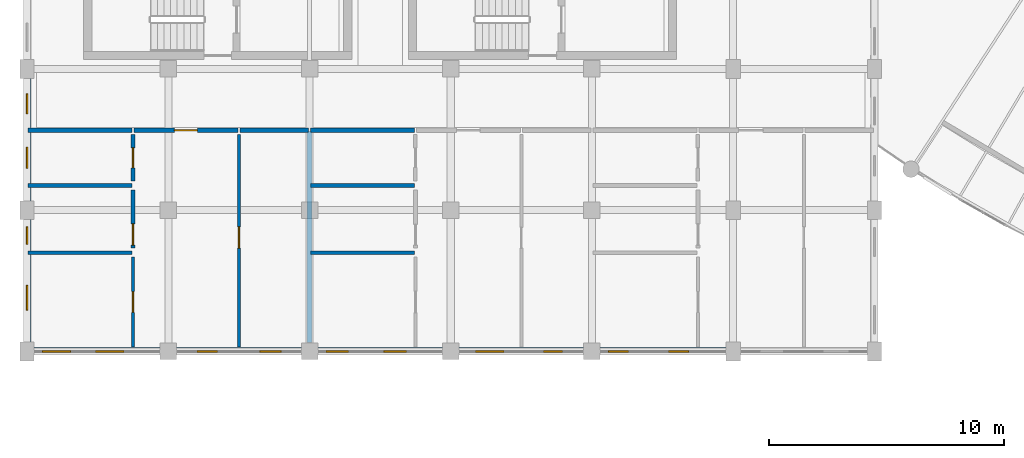
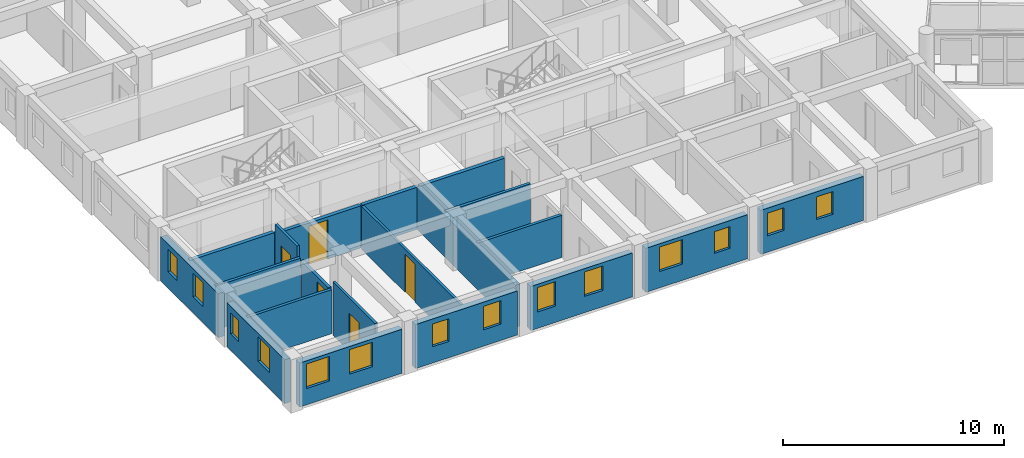
# One storey, part 86 of 137: 20 walls, 14 windows, 5 doors, 19 openings.
"""IFC4 building model written with IfcOpenShell, lengths in metres."""

from ifc_helpers import new_model, si_unit, direction, frame, frame_2d, origin, place, context, subcontext, project, spatial, rectangle, extrude, material, layer, layer_set, type_object, element, fill, save


model = new_model("IFC4")

# Units and contexts
model_context = context("Model", 3, precision=1e-05, world=origin(), true_north=direction((0.0, 1.0)))
body_context = subcontext(model_context, "Body", "Model", "MODEL_VIEW")
ifc_project = project(units=[si_unit("LENGTHUNIT", "METRE"), si_unit("AREAUNIT", "SQUARE_METRE"), si_unit("VOLUMEUNIT", "CUBIC_METRE"), si_unit("PLANEANGLEUNIT", "RADIAN"), si_unit("MASSUNIT", "GRAM", prefix="KILO"), si_unit("POWERUNIT", "WATT"), si_unit("THERMODYNAMICTEMPERATUREUNIT", "KELVIN")], contexts=[model_context])

# Site, building, storey
site_placement = place(None, origin())
site = spatial("IfcSite", under=ifc_project, at=site_placement, CompositionType="ELEMENT")
building_placement = place(site_placement, origin())
building = spatial("IfcBuilding", under=site, at=building_placement, Name="Ruvembo Vaulted Housing Court", CompositionType="ELEMENT")
storey_placement = place(building_placement, frame((0.0, 0.0, 4.5)))
storey = spatial("IfcBuildingStorey", under=building, at=storey_placement, Name="L01", CompositionType="ELEMENT", Elevation=4.5)

# Wall
ifc_material_1 = material(Name="Concrete Blockwork 190", Category="masonry")
ifc_layer_1 = layer(ifc_material_1, 0.18994140625, Name="Concrete Blockwork 190")
ifc_layer_set_1 = layer_set([ifc_layer_1], Name="Concrete Blockwork 190")
wall_type_1 = type_object("IfcWallType", Name="WL-CORR-190", PredefinedType="SOLIDWALL", material=ifc_layer_set_1)
wall_1_placement = place(storey_placement, frame((0.0400390625, 15.39990234375, 0.0), z_axis=(0.0, 0.0, 1.0), x_axis=(1.0, 0.0, 0.0)))
element("IfcWall", 1, at=wall_1_placement, inside=storey, type_object=wall_type_1, Name="L01 Flat A-L01-S1 Corridor Wall WL-INT-L01-00179", PredefinedType="SOLIDWALL", context=body_context, shape_type="SweptSolid", body=[
    extrude(rectangle(XDim=4.419921875, YDim=0.18994140625, at=frame_2d((2.2099609375, 0.0))), origin(), (0.0, 0.0, 1.0), 2.427001953125),
])

# Wall, opening, door
wall_2_placement = place(storey_placement, frame((4.5400390625, 15.39990234375, 0.0), z_axis=(0.0, 0.0, 1.0), x_axis=(1.0, 0.0, 0.0)))
wall_2 = element("IfcWall", 2, at=wall_2_placement, inside=storey, type_object=wall_type_1, Name="L01 Flat A-L01-S1 Entrance WL-INT-L01-00180", PredefinedType="SOLIDWALL", context=body_context, shape_type="SweptSolid", body=[
    extrude(rectangle(XDim=4.419921875, YDim=0.18994140625, at=frame_2d((2.2099609375, 0.0))), origin(), (0.0, 0.0, 1.0), 2.326904296875),
])
opening_1_placement = place(wall_2_placement, frame((1.719970703125, 0.0, 0.0)))
opening_1 = element("IfcOpeningElement", 3, at=opening_1_placement, cuts=wall_2, Name="Opening FD2", PredefinedType="OPENING", context=body_context, shape_type="SweptSolid", body=[
    extrude(rectangle(XDim=0.97998046875, YDim=2.14990234375, at=frame_2d((0.489990234375, 1.074951171875))), frame((0.0, 0.10498046875, 0.0), z_axis=(0.0, -1.0, 0.0), x_axis=(1.0, 0.0, 0.0)), (0.0, 0.0, 1.0), 0.2099609375),
])
ifc_material_2 = material(Name="FSC Hardwood and Engineered Timber", Category="wood")
door_type_1 = type_object("IfcDoorType", Name="DR-FLAT-0980x2150", OperationType="NOTDEFINED", PredefinedType="DOOR", material=ifc_material_2)
door_1_placement = place(opening_1_placement, origin())
door_1 = element("IfcDoor", 4, at=door_1_placement, inside=storey, type_object=door_type_1, Name="L01 Flat A-L01-S1 Entrance Door DR-INT-L01-00088", OperationType="SINGLE_SWING_RIGHT", OverallHeight=2.14990234375, OverallWidth=0.97998046875, PredefinedType="DOOR", context=body_context, shape_type="SweptSolid", body=[
    extrude(rectangle(XDim=0.97998046875, YDim=2.14990234375, at=frame_2d((0.489990234375, 1.074951171875))), frame((0.0, 0.02490234375, 0.0), z_axis=(0.0, -1.0, 0.0), x_axis=(1.0, 0.0, 0.0)), (0.0, 0.0, 1.0), 0.050048828125),
])
fill(opening_1, door_1)

# Walls
wall_3_placement = place(storey_placement, frame((9.0400390625, 15.39990234375, 0.0), z_axis=(0.0, 0.0, 1.0), x_axis=(1.0, 0.0, 0.0)))
element("IfcWall", 5, at=wall_3_placement, inside=storey, type_object=wall_type_1, Name="L01 Flat A-L01-S1 Corridor Wall 2 WL-INT-L01-00186", PredefinedType="SOLIDWALL", context=body_context, shape_type="SweptSolid", body=[
    extrude(rectangle(XDim=2.919921875, YDim=0.18994140625, at=frame_2d((1.4599609375, 0.0))), origin(), (0.0, 0.0, 1.0), 2.326904296875),
])
wall_4_placement = place(storey_placement, frame((12.0400390625, 15.39990234375, 0.0), z_axis=(0.0, 0.0, 1.0), x_axis=(1.0, 0.0, 0.0)))
element("IfcWall", 6, at=wall_4_placement, inside=storey, type_object=wall_type_1, Name="L01 Flat A-L01-S2 Corridor Wall WL-INT-L01-00189", PredefinedType="SOLIDWALL", context=body_context, shape_type="SweptSolid", body=[
    extrude(rectangle(XDim=4.419921875, YDim=0.18994140625, at=frame_2d((2.2099609375, 0.0))), origin(), (0.0, 0.0, 1.0), 2.326904296875),
])
ifc_material_3 = material(Name="Acoustic Masonry Demising 230", Category="masonry")
ifc_layer_2 = layer(ifc_material_3, 0.22998046875, Name="Acoustic Masonry Demising 230")
ifc_layer_set_2 = layer_set([ifc_layer_2], Name="Acoustic Masonry Demising 230")
wall_type_2 = type_object("IfcWallType", Name="WL-DEM-230", PredefinedType="SOLIDWALL", material=ifc_layer_set_2)
wall_5_placement = place(storey_placement, frame((12.0, 6.389892578125, 0.0), z_axis=(0.0, 0.0, 1.0), x_axis=(0.0, 1.0, 0.0)))
element("IfcWall", 7, at=wall_5_placement, inside=storey, type_object=wall_type_2, Name="L01 Demising A-L01-S1 WL-INT-L01-00178", PredefinedType="SOLIDWALL", context=body_context, shape_type="SweptSolid", body=[
    extrude(rectangle(XDim=8.97021484375, YDim=0.22998046875, at=frame_2d((4.485107421875, 0.0))), origin(), (0.0, 0.0, 1.0), 2.326904296875),
])

# Wall, openings, windows
ifc_material_4 = material(Name="Rendered Masonry 320", Category="masonry")
ifc_layer_3 = layer(ifc_material_4, 0.320068359375, Name="Rendered Masonry 320")
ifc_layer_set_3 = layer_set([ifc_layer_3], Name="Rendered Masonry 320")
wall_type_3 = type_object("IfcWallType", Name="WL-EXT-320", PredefinedType="STANDARD", material=ifc_layer_set_3)
wall_6_placement = place(storey_placement, frame((0.300048828125, 6.0, 0.0), z_axis=(0.0, 0.0, 1.0), x_axis=(1.0, 0.0, 0.0)))
wall_6 = element("IfcWall", 8, at=wall_6_placement, inside=storey, type_object=wall_type_3, Name="Block A L01 Exterior Wall STREET #1", PredefinedType="STANDARD", context=body_context, shape_type="SweptSolid", body=[
    extrude(rectangle(XDim=5.349853515625, YDim=0.320068359375, at=frame_2d((2.6748046875, 0.0))), origin(), (0.0, 0.0, 1.0), 2.427001953125),
])
opening_2_placement = place(wall_6_placement, frame((0.35009765625, 0.0, 0.89990234375)))
opening_2 = element("IfcOpeningElement", 9, at=opening_2_placement, cuts=wall_6, Name="Opening W12", PredefinedType="OPENING", context=body_context, shape_type="SweptSolid", body=[
    extrude(rectangle(XDim=1.199951171875, YDim=1.35009765625, at=frame_2d((0.60009765625, 0.675048828125))), frame((0.0, 0.169921875, 0.0), z_axis=(0.0, -1.0, 0.0), x_axis=(1.0, 0.0, 0.0)), (0.0, 0.0, 1.0), 0.340087890625),
])
opening_3_placement = place(wall_6_placement, frame((2.610107421875, 0.0, 0.89990234375)))
opening_3 = element("IfcOpeningElement", 10, at=opening_3_placement, cuts=wall_6, Name="Opening W12", PredefinedType="OPENING", context=body_context, shape_type="SweptSolid", body=[
    extrude(rectangle(XDim=1.199951171875, YDim=1.35009765625, at=frame_2d((0.60009765625, 0.675048828125))), frame((0.0, 0.169921875, 0.0), z_axis=(0.0, -1.0, 0.0), x_axis=(1.0, 0.0, 0.0)), (0.0, 0.0, 1.0), 0.340087890625),
])
ifc_material_5 = material(Name="Double Solar-Control Glazing in Aluminium Frame", Category="aluminium")
window_type_1 = type_object("IfcWindowType", Name="WIN-1200x1350", PartitioningType="SINGLE_PANEL", PredefinedType="WINDOW", material=ifc_material_5)
window_1_placement = place(opening_2_placement, origin())
window_1 = element("IfcWindow", 11, at=window_1_placement, inside=storey, type_object=window_type_1, Name="Block A L01 Window #41", OverallHeight=1.35009765625, OverallWidth=1.199951171875, PartitioningType="SINGLE_PANEL", PredefinedType="WINDOW", context=body_context, shape_type="SweptSolid", body=[
    extrude(rectangle(XDim=1.199951171875, YDim=1.35009765625, at=frame_2d((0.60009765625, 0.675048828125))), frame((0.0, 0.030029296875, 0.0), z_axis=(0.0, -1.0, 0.0), x_axis=(1.0, 0.0, 0.0)), (0.0, 0.0, 1.0), 0.06005859375),
])
fill(opening_2, window_1)
window_2_placement = place(opening_3_placement, origin())
window_2 = element("IfcWindow", 12, at=window_2_placement, inside=storey, type_object=window_type_1, Name="Block A L01 Window #42", OverallHeight=1.35009765625, OverallWidth=1.199951171875, PartitioningType="SINGLE_PANEL", PredefinedType="WINDOW", context=body_context, shape_type="SweptSolid", body=[
    extrude(rectangle(XDim=1.199951171875, YDim=1.35009765625, at=frame_2d((0.60009765625, 0.675048828125))), frame((0.0, 0.030029296875, 0.0), z_axis=(0.0, -1.0, 0.0), x_axis=(1.0, 0.0, 0.0)), (0.0, 0.0, 1.0), 0.06005859375),
])
fill(opening_3, window_2)

wall_7_placement = place(storey_placement, frame((6.35009765625, 6.0, 0.0), z_axis=(0.0, 0.0, 1.0), x_axis=(1.0, 0.0, 0.0)))
wall_7 = element("IfcWall", 13, at=wall_7_placement, inside=storey, type_object=wall_type_3, Name="Block A L01 Exterior Wall STREET #2", PredefinedType="STANDARD", context=body_context, shape_type="SweptSolid", body=[
    extrude(rectangle(XDim=5.2998046875, YDim=0.320068359375, at=frame_2d((2.64990234375, 0.0))), origin(), (0.0, 0.0, 1.0), 2.427001953125),
])
opening_4_placement = place(wall_7_placement, frame((0.8798828125, 0.0, 0.89990234375)))
opening_4 = element("IfcOpeningElement", 14, at=opening_4_placement, cuts=wall_7, Name="Opening W03", PredefinedType="OPENING", context=body_context, shape_type="SweptSolid", body=[
    extrude(rectangle(XDim=0.85009765625, YDim=1.25, at=frame_2d((0.425048828125, 0.625))), frame((0.0, 0.169921875, 0.0), z_axis=(0.0, -1.0, 0.0), x_axis=(1.0, 0.0, 0.0)), (0.0, 0.0, 1.0), 0.340087890625),
])
opening_5_placement = place(wall_7_placement, frame((3.544921875, 0.0, 0.89990234375)))
opening_5 = element("IfcOpeningElement", 15, at=opening_5_placement, cuts=wall_7, Name="Opening W04", PredefinedType="OPENING", context=body_context, shape_type="SweptSolid", body=[
    extrude(rectangle(XDim=0.89990234375, YDim=1.300048828125, at=frame_2d((0.449951171875, 0.64990234375))), frame((0.0, 0.169921875, 0.0), z_axis=(0.0, -1.0, 0.0), x_axis=(1.0, 0.0, 0.0)), (0.0, 0.0, 1.0), 0.340087890625),
])
window_type_2 = type_object("IfcWindowType", Name="WIN-0850x1250", PartitioningType="SINGLE_PANEL", PredefinedType="WINDOW", material=ifc_material_5)
window_3_placement = place(opening_4_placement, origin())
window_3 = element("IfcWindow", 16, at=window_3_placement, inside=storey, type_object=window_type_2, Name="Block A L01 Window #43", OverallHeight=1.25, OverallWidth=0.85009765625, PartitioningType="SINGLE_PANEL", PredefinedType="WINDOW", context=body_context, shape_type="SweptSolid", body=[
    extrude(rectangle(XDim=0.85009765625, YDim=1.25, at=frame_2d((0.425048828125, 0.625))), frame((0.0, 0.030029296875, 0.0), z_axis=(0.0, -1.0, 0.0), x_axis=(1.0, 0.0, 0.0)), (0.0, 0.0, 1.0), 0.06005859375),
])
fill(opening_4, window_3)
window_type_3 = type_object("IfcWindowType", Name="WIN-0900x1300", PartitioningType="SINGLE_PANEL", PredefinedType="WINDOW", material=ifc_material_5)
window_4_placement = place(opening_5_placement, origin())
window_4 = element("IfcWindow", 17, at=window_4_placement, inside=storey, type_object=window_type_3, Name="Block A L01 Window #44", OverallHeight=1.300048828125, OverallWidth=0.89990234375, PartitioningType="SINGLE_PANEL", PredefinedType="WINDOW", context=body_context, shape_type="SweptSolid", body=[
    extrude(rectangle(XDim=0.89990234375, YDim=1.300048828125, at=frame_2d((0.449951171875, 0.64990234375))), frame((0.0, 0.030029296875, 0.0), z_axis=(0.0, -1.0, 0.0), x_axis=(1.0, 0.0, 0.0)), (0.0, 0.0, 1.0), 0.06005859375),
])
fill(opening_5, window_4)

wall_8_placement = place(storey_placement, frame((12.35009765625, 6.0, 0.0), z_axis=(0.0, 0.0, 1.0), x_axis=(1.0, 0.0, 0.0)))
wall_8 = element("IfcWall", 18, at=wall_8_placement, inside=storey, type_object=wall_type_3, Name="Block A L01 Exterior Wall STREET #3", PredefinedType="STANDARD", context=body_context, shape_type="SweptSolid", body=[
    extrude(rectangle(XDim=5.2998046875, YDim=0.320068359375, at=frame_2d((2.64990234375, 0.0))), origin(), (0.0, 0.0, 1.0), 2.427001953125),
])
opening_6_placement = place(wall_8_placement, frame((0.35009765625, 0.0, 0.89990234375)))
opening_6 = element("IfcOpeningElement", 19, at=opening_6_placement, cuts=wall_8, Name="Opening W07", PredefinedType="OPENING", context=body_context, shape_type="SweptSolid", body=[
    extrude(rectangle(XDim=0.949951171875, YDim=1.35009765625, at=frame_2d((0.47509765625, 0.675048828125))), frame((0.0, 0.169921875, 0.0), z_axis=(0.0, -1.0, 0.0), x_axis=(1.0, 0.0, 0.0)), (0.0, 0.0, 1.0), 0.340087890625),
])
opening_7_placement = place(wall_8_placement, frame((2.81005859375, 0.0, 0.89990234375)))
opening_7 = element("IfcOpeningElement", 20, at=opening_7_placement, cuts=wall_8, Name="Opening W07", PredefinedType="OPENING", context=body_context, shape_type="SweptSolid", body=[
    extrude(rectangle(XDim=0.949951171875, YDim=1.35009765625, at=frame_2d((0.47509765625, 0.675048828125))), frame((0.0, 0.169921875, 0.0), z_axis=(0.0, -1.0, 0.0), x_axis=(1.0, 0.0, 0.0)), (0.0, 0.0, 1.0), 0.340087890625),
])
window_type_4 = type_object("IfcWindowType", Name="WIN-0950x1350", PartitioningType="SINGLE_PANEL", PredefinedType="WINDOW", material=ifc_material_5)
window_5_placement = place(opening_6_placement, origin())
window_5 = element("IfcWindow", 21, at=window_5_placement, inside=storey, type_object=window_type_4, Name="Block A L01 Window #45", OverallHeight=1.35009765625, OverallWidth=0.949951171875, PartitioningType="SINGLE_PANEL", PredefinedType="WINDOW", context=body_context, shape_type="SweptSolid", body=[
    extrude(rectangle(XDim=0.949951171875, YDim=1.35009765625, at=frame_2d((0.47509765625, 0.675048828125))), frame((0.0, 0.030029296875, 0.0), z_axis=(0.0, -1.0, 0.0), x_axis=(1.0, 0.0, 0.0)), (0.0, 0.0, 1.0), 0.06005859375),
])
fill(opening_6, window_5)
window_6_placement = place(opening_7_placement, origin())
window_6 = element("IfcWindow", 22, at=window_6_placement, inside=storey, type_object=window_type_4, Name="Block A L01 Window #46", OverallHeight=1.35009765625, OverallWidth=0.949951171875, PartitioningType="SINGLE_PANEL", PredefinedType="WINDOW", context=body_context, shape_type="SweptSolid", body=[
    extrude(rectangle(XDim=0.949951171875, YDim=1.35009765625, at=frame_2d((0.47509765625, 0.675048828125))), frame((0.0, 0.030029296875, 0.0), z_axis=(0.0, -1.0, 0.0), x_axis=(1.0, 0.0, 0.0)), (0.0, 0.0, 1.0), 0.06005859375),
])
fill(opening_7, window_6)

wall_9_placement = place(storey_placement, frame((18.35009765625, 6.0, 0.0), z_axis=(0.0, 0.0, 1.0), x_axis=(1.0, 0.0, 0.0)))
wall_9 = element("IfcWall", 23, at=wall_9_placement, inside=storey, type_object=wall_type_3, Name="Block A L01 Exterior Wall STREET #4", PredefinedType="STANDARD", context=body_context, shape_type="SweptSolid", body=[
    extrude(rectangle(XDim=5.2998046875, YDim=0.320068359375, at=frame_2d((2.64990234375, 0.0))), origin(), (0.0, 0.0, 1.0), 2.427001953125),
])
opening_8_placement = place(wall_9_placement, frame((0.705078125, 0.0, 0.89990234375)))
opening_8 = element("IfcOpeningElement", 24, at=opening_8_placement, cuts=wall_9, Name="Opening W12", PredefinedType="OPENING", context=body_context, shape_type="SweptSolid", body=[
    extrude(rectangle(XDim=1.199951171875, YDim=1.35009765625, at=frame_2d((0.60009765625, 0.675048828125))), frame((0.0, 0.169921875, 0.0), z_axis=(0.0, -1.0, 0.0), x_axis=(1.0, 0.0, 0.0)), (0.0, 0.0, 1.0), 0.340087890625),
])
opening_9_placement = place(wall_9_placement, frame((3.594970703125, 0.0, 0.89990234375)))
opening_9 = element("IfcOpeningElement", 25, at=opening_9_placement, cuts=wall_9, Name="Opening W02", PredefinedType="OPENING", context=body_context, shape_type="SweptSolid", body=[
    extrude(rectangle(XDim=0.800048828125, YDim=1.199951171875, at=frame_2d((0.39990234375, 0.60009765625))), frame((0.0, 0.169921875, 0.0), z_axis=(0.0, -1.0, 0.0), x_axis=(1.0, 0.0, 0.0)), (0.0, 0.0, 1.0), 0.340087890625),
])
window_type_5 = type_object("IfcWindowType", Name="WIN-0800x1200", PartitioningType="SINGLE_PANEL", PredefinedType="WINDOW", material=ifc_material_5)
window_7_placement = place(opening_9_placement, origin())
window_7 = element("IfcWindow", 26, at=window_7_placement, inside=storey, type_object=window_type_5, Name="Block A L01 Window #48", OverallHeight=1.199951171875, OverallWidth=0.800048828125, PartitioningType="SINGLE_PANEL", PredefinedType="WINDOW", context=body_context, shape_type="SweptSolid", body=[
    extrude(rectangle(XDim=0.800048828125, YDim=1.199951171875, at=frame_2d((0.39990234375, 0.60009765625))), frame((0.0, 0.030029296875, 0.0), z_axis=(0.0, -1.0, 0.0), x_axis=(1.0, 0.0, 0.0)), (0.0, 0.0, 1.0), 0.06005859375),
])
fill(opening_9, window_7)
window_8_placement = place(opening_8_placement, origin())
window_8 = element("IfcWindow", 27, at=window_8_placement, inside=storey, type_object=window_type_1, Name="Block A L01 Window #47", OverallHeight=1.35009765625, OverallWidth=1.199951171875, PartitioningType="SINGLE_PANEL", PredefinedType="WINDOW", context=body_context, shape_type="SweptSolid", body=[
    extrude(rectangle(XDim=1.199951171875, YDim=1.35009765625, at=frame_2d((0.60009765625, 0.675048828125))), frame((0.0, 0.030029296875, 0.0), z_axis=(0.0, -1.0, 0.0), x_axis=(1.0, 0.0, 0.0)), (0.0, 0.0, 1.0), 0.06005859375),
])
fill(opening_8, window_8)

wall_10_placement = place(storey_placement, frame((24.35009765625, 6.0, 0.0), z_axis=(0.0, 0.0, 1.0), x_axis=(1.0, 0.0, 0.0)))
wall_10 = element("IfcWall", 28, at=wall_10_placement, inside=storey, type_object=wall_type_3, Name="Block A L01 Exterior Wall STREET #5", PredefinedType="STANDARD", context=body_context, shape_type="SweptSolid", body=[
    extrude(rectangle(XDim=5.349853515625, YDim=0.320068359375, at=frame_2d((2.6748046875, 0.0))), origin(), (0.0, 0.0, 1.0), 2.427001953125),
])
opening_10_placement = place(wall_10_placement, frame((0.35009765625, 0.0, 0.89990234375)))
opening_10 = element("IfcOpeningElement", 29, at=opening_10_placement, cuts=wall_10, Name="Opening W03", PredefinedType="OPENING", context=body_context, shape_type="SweptSolid", body=[
    extrude(rectangle(XDim=0.85009765625, YDim=1.25, at=frame_2d((0.425048828125, 0.625))), frame((0.0, 0.169921875, 0.0), z_axis=(0.0, -1.0, 0.0), x_axis=(1.0, 0.0, 0.0)), (0.0, 0.0, 1.0), 0.340087890625),
])
opening_11_placement = place(wall_10_placement, frame((2.909912109375, 0.0, 0.89990234375)))
opening_11 = element("IfcOpeningElement", 30, at=opening_11_placement, cuts=wall_10, Name="Opening W03", PredefinedType="OPENING", context=body_context, shape_type="SweptSolid", body=[
    extrude(rectangle(XDim=0.85009765625, YDim=1.25, at=frame_2d((0.425048828125, 0.625))), frame((0.0, 0.169921875, 0.0), z_axis=(0.0, -1.0, 0.0), x_axis=(1.0, 0.0, 0.0)), (0.0, 0.0, 1.0), 0.340087890625),
])
window_9_placement = place(opening_10_placement, origin())
window_9 = element("IfcWindow", 31, at=window_9_placement, inside=storey, type_object=window_type_2, Name="Block A L01 Window #49", OverallHeight=1.25, OverallWidth=0.85009765625, PartitioningType="SINGLE_PANEL", PredefinedType="WINDOW", context=body_context, shape_type="SweptSolid", body=[
    extrude(rectangle(XDim=0.85009765625, YDim=1.25, at=frame_2d((0.425048828125, 0.625))), frame((0.0, 0.030029296875, 0.0), z_axis=(0.0, -1.0, 0.0), x_axis=(1.0, 0.0, 0.0)), (0.0, 0.0, 1.0), 0.06005859375),
])
fill(opening_10, window_9)
window_10_placement = place(opening_11_placement, origin())
window_10 = element("IfcWindow", 32, at=window_10_placement, inside=storey, type_object=window_type_2, Name="Block A L01 Window #50", OverallHeight=1.25, OverallWidth=0.85009765625, PartitioningType="SINGLE_PANEL", PredefinedType="WINDOW", context=body_context, shape_type="SweptSolid", body=[
    extrude(rectangle(XDim=0.85009765625, YDim=1.25, at=frame_2d((0.425048828125, 0.625))), frame((0.0, 0.030029296875, 0.0), z_axis=(0.0, -1.0, 0.0), x_axis=(1.0, 0.0, 0.0)), (0.0, 0.0, 1.0), 0.06005859375),
])
fill(opening_11, window_10)

wall_11_placement = place(storey_placement, frame((0.0, 17.60009765625, 0.0), z_axis=(0.0, 0.0, 1.0), x_axis=(0.0, -1.0, 0.0)))
wall_11 = element("IfcWall", 33, at=wall_11_placement, inside=storey, type_object=wall_type_3, Name="Block A L01 Exterior Wall WEST #5", PredefinedType="STANDARD", context=body_context, shape_type="SweptSolid", body=[
    extrude(rectangle(XDim=5.2001953125, YDim=0.320068359375, at=frame_2d((2.60009765625, 0.0))), origin(), (0.0, 0.0, 1.0), 2.427001953125),
])
opening_12_placement = place(wall_11_placement, frame((0.655029296875, 0.0, 0.89990234375)))
opening_12 = element("IfcOpeningElement", 34, at=opening_12_placement, cuts=wall_11, Name="Opening W03", PredefinedType="OPENING", context=body_context, shape_type="SweptSolid", body=[
    extrude(rectangle(XDim=0.85009765625, YDim=1.25, at=frame_2d((0.425048828125, 0.625))), frame((0.0, 0.169921875, 0.0), z_axis=(0.0, -1.0, 0.0), x_axis=(1.0, 0.0, 0.0)), (0.0, 0.0, 1.0), 0.340087890625),
])
opening_13_placement = place(wall_11_placement, frame((2.925048828125, 0.0, 0.89990234375)))
opening_13 = element("IfcOpeningElement", 35, at=opening_13_placement, cuts=wall_11, Name="Opening W04", PredefinedType="OPENING", context=body_context, shape_type="SweptSolid", body=[
    extrude(rectangle(XDim=0.89990234375, YDim=1.300048828125, at=frame_2d((0.449951171875, 0.64990234375))), frame((0.0, 0.169921875, 0.0), z_axis=(0.0, -1.0, 0.0), x_axis=(1.0, 0.0, 0.0)), (0.0, 0.0, 1.0), 0.340087890625),
])
window_11_placement = place(opening_12_placement, origin())
window_11 = element("IfcWindow", 36, at=window_11_placement, inside=storey, type_object=window_type_2, Name="Block A L01 Window #79", OverallHeight=1.25, OverallWidth=0.85009765625, PartitioningType="SINGLE_PANEL", PredefinedType="WINDOW", context=body_context, shape_type="SweptSolid", body=[
    extrude(rectangle(XDim=0.85009765625, YDim=1.25, at=frame_2d((0.425048828125, 0.625))), frame((0.0, 0.030029296875, 0.0), z_axis=(0.0, -1.0, 0.0), x_axis=(1.0, 0.0, 0.0)), (0.0, 0.0, 1.0), 0.06005859375),
])
fill(opening_12, window_11)
window_12_placement = place(opening_13_placement, origin())
window_12 = element("IfcWindow", 37, at=window_12_placement, inside=storey, type_object=window_type_3, Name="Block A L01 Window #80", OverallHeight=1.300048828125, OverallWidth=0.89990234375, PartitioningType="SINGLE_PANEL", PredefinedType="WINDOW", context=body_context, shape_type="SweptSolid", body=[
    extrude(rectangle(XDim=0.89990234375, YDim=1.300048828125, at=frame_2d((0.449951171875, 0.64990234375))), frame((0.0, 0.030029296875, 0.0), z_axis=(0.0, -1.0, 0.0), x_axis=(1.0, 0.0, 0.0)), (0.0, 0.0, 1.0), 0.06005859375),
])
fill(opening_13, window_12)

wall_12_placement = place(storey_placement, frame((0.0, 11.60009765625, 0.0), z_axis=(0.0, 0.0, 1.0), x_axis=(0.0, -1.0, 0.0)))
wall_12 = element("IfcWall", 38, at=wall_12_placement, inside=storey, type_object=wall_type_3, Name="Block A L01 Exterior Wall WEST #6", PredefinedType="STANDARD", context=body_context, shape_type="SweptSolid", body=[
    extrude(rectangle(XDim=5.2001953125, YDim=0.320068359375, at=frame_2d((2.60009765625, 0.0))), origin(), (0.0, 0.0, 1.0), 2.427001953125),
])
opening_14_placement = place(wall_12_placement, frame((0.304931640625, 0.0, 0.89990234375)))
opening_14 = element("IfcOpeningElement", 39, at=opening_14_placement, cuts=wall_12, Name="Opening W01", PredefinedType="OPENING", context=body_context, shape_type="SweptSolid", body=[
    extrude(rectangle(XDim=0.75, YDim=1.14990234375, at=frame_2d((0.375, 0.574951171875))), frame((0.0, 0.169921875, 0.0), z_axis=(0.0, -1.0, 0.0), x_axis=(1.0, 0.0, 0.0)), (0.0, 0.0, 1.0), 0.340087890625),
])
opening_15_placement = place(wall_12_placement, frame((2.794921875, 0.0, 0.89990234375)))
opening_15 = element("IfcOpeningElement", 40, at=opening_15_placement, cuts=wall_12, Name="Opening W09", PredefinedType="OPENING", context=body_context, shape_type="SweptSolid", body=[
    extrude(rectangle(XDim=1.050048828125, YDim=1.35009765625, at=frame_2d((0.52490234375, 0.675048828125))), frame((0.0, 0.169921875, 0.0), z_axis=(0.0, -1.0, 0.0), x_axis=(1.0, 0.0, 0.0)), (0.0, 0.0, 1.0), 0.340087890625),
])
window_type_6 = type_object("IfcWindowType", Name="WIN-0750x1150", PartitioningType="SINGLE_PANEL", PredefinedType="WINDOW", material=ifc_material_5)
window_13_placement = place(opening_14_placement, origin())
window_13 = element("IfcWindow", 41, at=window_13_placement, inside=storey, type_object=window_type_6, Name="Block A L01 Window #81", OverallHeight=1.14990234375, OverallWidth=0.75, PartitioningType="SINGLE_PANEL", PredefinedType="WINDOW", context=body_context, shape_type="SweptSolid", body=[
    extrude(rectangle(XDim=0.75, YDim=1.14990234375, at=frame_2d((0.375, 0.574951171875))), frame((0.0, 0.030029296875, 0.0), z_axis=(0.0, -1.0, 0.0), x_axis=(1.0, 0.0, 0.0)), (0.0, 0.0, 1.0), 0.06005859375),
])
fill(opening_14, window_13)
window_type_7 = type_object("IfcWindowType", Name="WIN-1050x1350", PartitioningType="SINGLE_PANEL", PredefinedType="WINDOW", material=ifc_material_5)
window_14_placement = place(opening_15_placement, origin())
window_14 = element("IfcWindow", 42, at=window_14_placement, inside=storey, type_object=window_type_7, Name="Block A L01 Window #82", OverallHeight=1.35009765625, OverallWidth=1.050048828125, PartitioningType="SINGLE_PANEL", PredefinedType="WINDOW", context=body_context, shape_type="SweptSolid", body=[
    extrude(rectangle(XDim=1.050048828125, YDim=1.35009765625, at=frame_2d((0.52490234375, 0.675048828125))), frame((0.0, 0.030029296875, 0.0), z_axis=(0.0, -1.0, 0.0), x_axis=(1.0, 0.0, 0.0)), (0.0, 0.0, 1.0), 0.06005859375),
])
fill(opening_15, window_14)

# Wall, opening, door
ifc_material_6 = material(Name="Plasterboard Stud Partition 125", Category="gypsum")
ifc_layer_4 = layer(ifc_material_6, 0.125, Name="Plasterboard Stud Partition 125")
ifc_layer_set_4 = layer_set([ifc_layer_4], Name="Plasterboard Stud Partition 125")
wall_type_4 = type_object("IfcWallType", Name="WL-PART-125", PredefinedType="PARTITIONING", material=ifc_layer_set_4)
wall_13_placement = place(storey_placement, frame((4.5, 6.18994140625, 0.0), z_axis=(0.0, 0.0, 1.0), x_axis=(0.0, 1.0, 0.0)))
wall_13 = element("IfcWall", 43, at=wall_13_placement, inside=storey, type_object=wall_type_4, Name="L01 Flat A-L01-S1 Bedroom 1 WL-INT-L01-00181", PredefinedType="PARTITIONING", context=body_context, shape_type="SweptSolid", body=[
    extrude(rectangle(XDim=3.820068359375, YDim=0.125, at=frame_2d((1.91015625, 0.0))), origin(), (0.0, 0.0, 1.0), 2.945068359375),
])
opening_16_placement = place(wall_13_placement, frame((1.469970703125, 0.0, 0.0)))
opening_16 = element("IfcOpeningElement", 44, at=opening_16_placement, cuts=wall_13, Name="Opening ID3", PredefinedType="OPENING", context=body_context, shape_type="SweptSolid", body=[
    extrude(rectangle(XDim=0.8798828125, YDim=2.10009765625, at=frame_2d((0.43994140625, 1.050048828125))), frame((0.0, 0.072509765625, 0.0), z_axis=(0.0, -1.0, 0.0), x_axis=(1.0, 0.0, 0.0)), (0.0, 0.0, 1.0), 0.14501953125),
])
door_type_2 = type_object("IfcDoorType", Name="DR-ROOM-0880x2100", OperationType="NOTDEFINED", PredefinedType="DOOR", material=ifc_material_2)
door_2_placement = place(opening_16_placement, origin())
door_2 = element("IfcDoor", 45, at=door_2_placement, inside=storey, type_object=door_type_2, Name="L01 Flat A-L01-S1 Bedroom 1 Door DR-INT-L01-00089", OperationType="SINGLE_SWING_LEFT", OverallHeight=2.10009765625, OverallWidth=0.8798828125, PredefinedType="DOOR", context=body_context, shape_type="SweptSolid", body=[
    extrude(rectangle(XDim=0.8798828125, YDim=2.10009765625, at=frame_2d((0.43994140625, 1.050048828125))), frame((0.0, 0.02490234375, 0.0), z_axis=(0.0, -1.0, 0.0), x_axis=(1.0, 0.0, 0.0)), (0.0, 0.0, 1.0), 0.050048828125),
])
fill(opening_16, door_2)

wall_14_placement = place(storey_placement, frame((9.0, 6.18994140625, 0.0), z_axis=(0.0, 0.0, 1.0), x_axis=(0.0, 1.0, 0.0)))
wall_14 = element("IfcWall", 46, at=wall_14_placement, inside=storey, type_object=wall_type_4, Name="L01 Flat A-L01-S1 Bedroom 2 WL-INT-L01-00187", PredefinedType="PARTITIONING", context=body_context, shape_type="SweptSolid", body=[
    extrude(rectangle(XDim=9.02001953125, YDim=0.125, at=frame_2d((4.510009765625, 0.0))), origin(), (0.0, 0.0, 1.0), 2.376953125),
])
opening_17_placement = place(wall_14_placement, frame((4.199951171875, 0.0, 0.0)))
opening_17 = element("IfcOpeningElement", 47, at=opening_17_placement, cuts=wall_14, Name="Opening ID1", PredefinedType="OPENING", context=body_context, shape_type="SweptSolid", body=[
    extrude(rectangle(XDim=0.89990234375, YDim=2.10009765625, at=frame_2d((0.449951171875, 1.050048828125))), frame((0.0, 0.072509765625, 0.0), z_axis=(0.0, -1.0, 0.0), x_axis=(1.0, 0.0, 0.0)), (0.0, 0.0, 1.0), 0.14501953125),
])
door_type_3 = type_object("IfcDoorType", Name="DR-ROOM-0900x2100", OperationType="NOTDEFINED", PredefinedType="DOOR", material=ifc_material_2)
door_3_placement = place(opening_17_placement, origin())
door_3 = element("IfcDoor", 48, at=door_3_placement, inside=storey, type_object=door_type_3, Name="L01 Flat A-L01-S1 Bedroom 2 Door DR-INT-L01-00092", OperationType="SINGLE_SWING_RIGHT", OverallHeight=2.10009765625, OverallWidth=0.89990234375, PredefinedType="DOOR", context=body_context, shape_type="SweptSolid", body=[
    extrude(rectangle(XDim=0.89990234375, YDim=2.10009765625, at=frame_2d((0.449951171875, 1.050048828125))), frame((0.0, 0.02490234375, 0.0), z_axis=(0.0, -1.0, 0.0), x_axis=(1.0, 0.0, 0.0)), (0.0, 0.0, 1.0), 0.050048828125),
])
fill(opening_17, door_3)

ifc_material_7 = material(Name="Moisture-Resistant Wet Partition 150", Category="gypsum")
ifc_layer_5 = layer(ifc_material_7, 0.14990234375, Name="Moisture-Resistant Wet Partition 150")
ifc_layer_set_5 = layer_set([ifc_layer_5], Name="Moisture-Resistant Wet Partition 150")
wall_type_5 = type_object("IfcWallType", Name="WL-PART-150", PredefinedType="PARTITIONING", material=ifc_layer_set_5)
wall_15_placement = place(storey_placement, frame((4.5, 13.239990234375, 0.0), z_axis=(0.0, 0.0, 1.0), x_axis=(0.0, 1.0, 0.0)))
wall_15 = element("IfcWall", 49, at=wall_15_placement, inside=storey, type_object=wall_type_5, Name="L01 Flat A-L01-S1 Bathroom WL-INT-L01-00183", PredefinedType="PARTITIONING", context=body_context, shape_type="SweptSolid", body=[
    extrude(rectangle(XDim=1.969970703125, YDim=0.14990234375, at=frame_2d((0.98486328125, 0.0))), origin(), (0.0, 0.0, 1.0), 2.945068359375),
])
opening_18_placement = place(wall_15_placement, frame((0.56005859375, 0.0, 0.0)))
opening_18 = element("IfcOpeningElement", 50, at=opening_18_placement, cuts=wall_15, Name="Opening ID2", PredefinedType="OPENING", context=body_context, shape_type="SweptSolid", body=[
    extrude(rectangle(XDim=0.85009765625, YDim=2.10009765625, at=frame_2d((0.425048828125, 1.050048828125))), frame((0.0, 0.0849609375, 0.0), z_axis=(0.0, -1.0, 0.0), x_axis=(1.0, 0.0, 0.0)), (0.0, 0.0, 1.0), 0.169921875),
])
door_type_4 = type_object("IfcDoorType", Name="DR-WET-0850x2100", OperationType="NOTDEFINED", PredefinedType="DOOR", material=ifc_material_2)
door_4_placement = place(opening_18_placement, origin())
door_4 = element("IfcDoor", 51, at=door_4_placement, inside=storey, type_object=door_type_4, Name="L01 Flat A-L01-S1 Bathroom Door DR-INT-L01-00091", OperationType="SINGLE_SWING_LEFT", OverallHeight=2.10009765625, OverallWidth=0.85009765625, PredefinedType="DOOR", context=body_context, shape_type="SweptSolid", body=[
    extrude(rectangle(XDim=0.85009765625, YDim=2.10009765625, at=frame_2d((0.425048828125, 1.050048828125))), frame((0.0, 0.02490234375, 0.0), z_axis=(0.0, -1.0, 0.0), x_axis=(1.0, 0.0, 0.0)), (0.0, 0.0, 1.0), 0.050048828125),
])
fill(opening_18, door_4)

# Walls
for number, where, z_axis, x_axis, name in (
    (52, (0.0400390625, 10.199951171875, 0.0), (0.0, 0.0, 1.0), (1.0, 0.0, 0.0), "L01 Flat A-L01-S1 Wet Wall 1 WL-INT-L01-00184"),
    (53, (0.0400390625, 13.050048828125, 0.0), (0.0, 0.0, 1.0), (1.0, 0.0, 0.0), "L01 Flat A-L01-S1 Wet Wall 2 WL-INT-L01-00185"),
):
    element("IfcWall", number, at=place(storey_placement, frame(where, z_axis=z_axis, x_axis=x_axis)), inside=storey, type_object=wall_type_5, Name=name, PredefinedType="PARTITIONING", context=body_context, shape_type="SweptSolid", body=[
        extrude(rectangle(XDim=4.419921875, YDim=0.14990234375, at=frame_2d((2.2099609375, 0.0))), origin(), (0.0, 0.0, 1.0), 2.427001953125),
    ])
for number, where, z_axis, x_axis, name in (
    (54, (12.0400390625, 10.199951171875, 0.0), (0.0, 0.0, 1.0), (1.0, 0.0, 0.0), "L01 Flat A-L01-S2 Wet Wall 1 WL-INT-L01-00194"),
    (55, (12.0400390625, 13.050048828125, 0.0), (0.0, 0.0, 1.0), (1.0, 0.0, 0.0), "L01 Flat A-L01-S2 Wet Wall 2 WL-INT-L01-00195"),
):
    element("IfcWall", number, at=place(storey_placement, frame(where, z_axis=z_axis, x_axis=x_axis)), inside=storey, type_object=wall_type_5, Name=name, PredefinedType="PARTITIONING", context=body_context, shape_type="SweptSolid", body=[
        extrude(rectangle(XDim=4.419921875, YDim=0.14990234375, at=frame_2d((2.2099609375, 0.0))), origin(), (0.0, 0.0, 1.0), 2.326904296875),
    ])

# Wall, opening, door
ifc_material_8 = material(Name="Acoustic Service Chase Wall 160", Category="gypsum")
ifc_layer_6 = layer(ifc_material_8, 0.159912109375, Name="Acoustic Service Chase Wall 160")
ifc_layer_set_6 = layer_set([ifc_layer_6], Name="Acoustic Service Chase Wall 160")
wall_type_6 = type_object("IfcWallType", Name="WL-PLUMB-160", PredefinedType="PLUMBINGWALL", material=ifc_layer_set_6)
wall_16_placement = place(storey_placement, frame((4.5, 10.389892578125, 0.0), z_axis=(0.0, 0.0, 1.0), x_axis=(0.0, 1.0, 0.0)))
wall_16 = element("IfcWall", 56, at=wall_16_placement, inside=storey, type_object=wall_type_6, Name="L01 Flat A-L01-S1 Kitchen WL-INT-L01-00182", PredefinedType="PLUMBINGWALL", context=body_context, shape_type="SweptSolid", body=[
    extrude(rectangle(XDim=2.47021484375, YDim=0.159912109375, at=frame_2d((1.235107421875, 0.0))), origin(), (0.0, 0.0, 1.0), 2.376953125),
])
opening_19_placement = place(wall_16_placement, frame((0.1298828125, 0.0, 0.0)))
opening_19 = element("IfcOpeningElement", 57, at=opening_19_placement, cuts=wall_16, Name="Opening ID1", PredefinedType="OPENING", context=body_context, shape_type="SweptSolid", body=[
    extrude(rectangle(XDim=0.89990234375, YDim=2.10009765625, at=frame_2d((0.449951171875, 1.050048828125))), frame((0.0, 0.08984375, 0.0), z_axis=(0.0, -1.0, 0.0), x_axis=(1.0, 0.0, 0.0)), (0.0, 0.0, 1.0), 0.179931640625),
])
door_5_placement = place(opening_19_placement, origin())
door_5 = element("IfcDoor", 58, at=door_5_placement, inside=storey, type_object=door_type_3, Name="L01 Flat A-L01-S1 Kitchen Door DR-INT-L01-00090", OperationType="SINGLE_SWING_RIGHT", OverallHeight=2.10009765625, OverallWidth=0.89990234375, PredefinedType="DOOR", context=body_context, shape_type="SweptSolid", body=[
    extrude(rectangle(XDim=0.89990234375, YDim=2.10009765625, at=frame_2d((0.449951171875, 1.050048828125))), frame((0.0, 0.02490234375, 0.0), z_axis=(0.0, -1.0, 0.0), x_axis=(1.0, 0.0, 0.0)), (0.0, 0.0, 1.0), 0.050048828125),
])
fill(opening_19, door_5)

save(model, "model.ifc")
